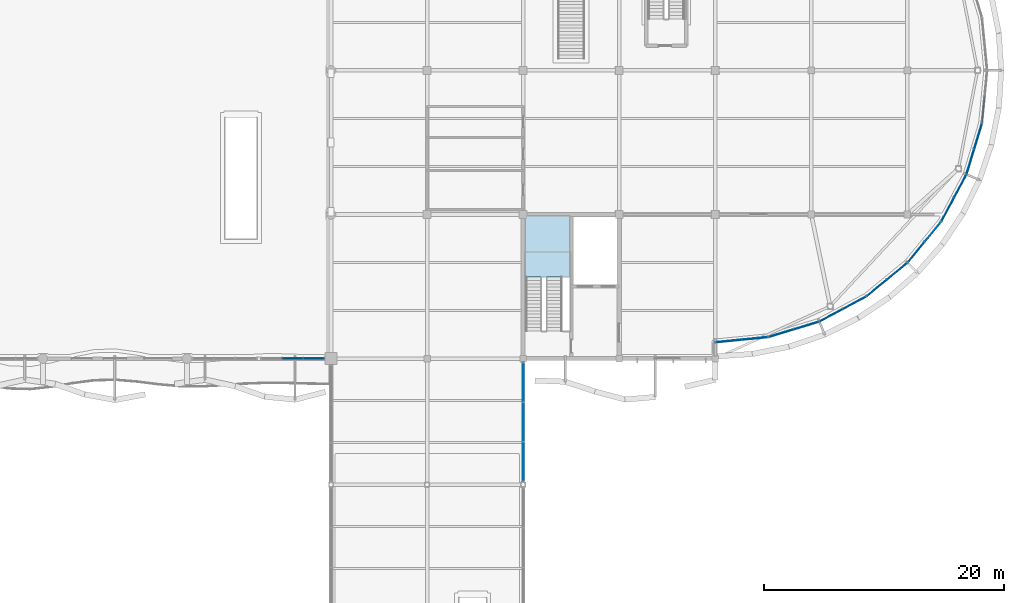
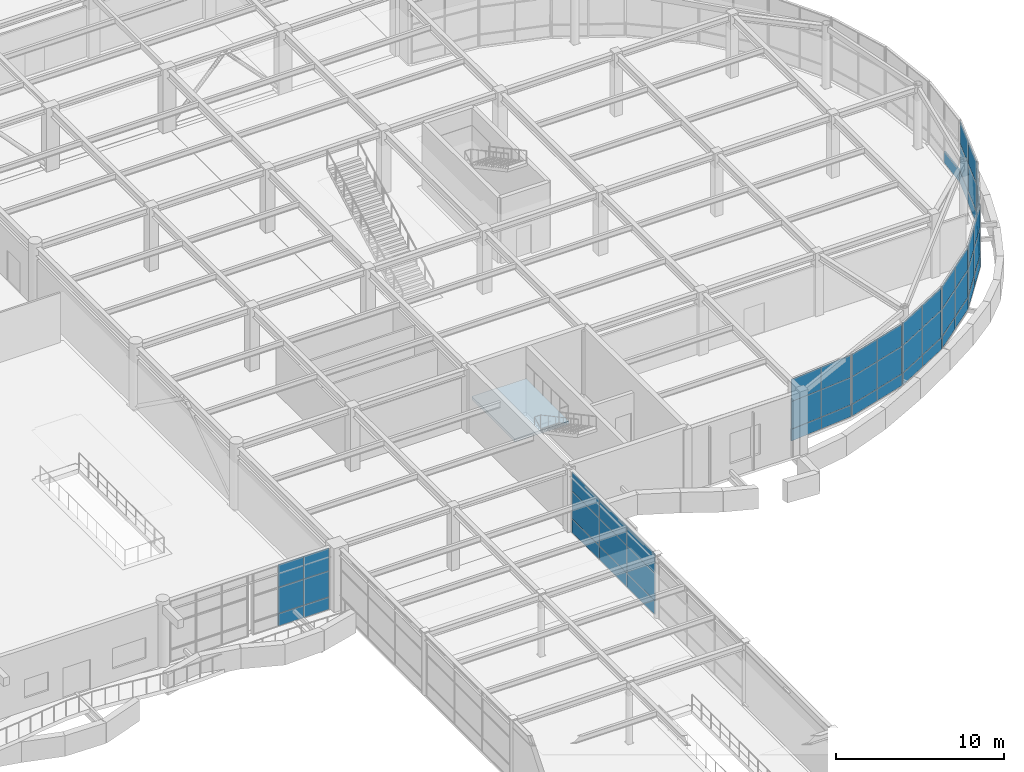
# One storey, part 41 of 72: 58 plates, 1 slab, 11 elements without a shape of their own.
"""IFC4 building model written with IfcOpenShell, lengths in metres."""

from ifc_helpers import new_model, si_unit, direction, frame, origin, origin_2d, place, context, subcontext, project, spatial, polyline, rectangle, outline, extrude, material, layer, layer_set, type_object, element, aggregate, save


model = new_model("IFC4")

# Units and contexts
model_context = context("Model", 3, precision=1e-05, world=origin(), true_north=direction((0.0, 1.0)))
body_context = subcontext(model_context, "Body", "Model", "MODEL_VIEW")
ifc_project = project(units=[si_unit("LENGTHUNIT", "METRE"), si_unit("AREAUNIT", "SQUARE_METRE"), si_unit("VOLUMEUNIT", "CUBIC_METRE"), si_unit("PLANEANGLEUNIT", "RADIAN"), si_unit("MASSUNIT", "GRAM", prefix="KILO")], contexts=[model_context])

# Site, building, storey
site_placement = place(None, origin())
site = spatial("IfcSite", under=ifc_project, at=site_placement, CompositionType="ELEMENT")
building_placement = place(site_placement, origin())
building = spatial("IfcBuilding", under=site, at=building_placement, Name="Keelwater Ferry Terminal", CompositionType="ELEMENT")
storey_placement = place(building_placement, frame((0.0, 0.0, 5.39990234375)))
storey = spatial("IfcBuildingStorey", under=building, at=storey_placement, Name="L01", CompositionType="ELEMENT", Elevation=5.39990234375)

# Curtain wall, plates
ifc_material_1 = material(Name="Thermally broken unitised aluminium and triple glass", Category="aluminium")
ifc_layer_1 = layer(ifc_material_1, 0.179931640625)
ifc_layer_set_1 = layer_set([ifc_layer_1], Name="Thermally broken unitised aluminium and triple glass")
curtain_wall_type_1 = type_object("IfcCurtainWallType", Name="CW-11 Unitised Curtain Wall 9872x4400", PredefinedType="USERDEFINED", material=ifc_layer_set_1)
curtain_wall_1_placement = place(storey_placement, origin())
curtain_wall_1 = element("IfcCurtainWall", 1, at=curtain_wall_1_placement, inside=storey, type_object=curtain_wall_type_1, Name="Unitised Curtain Wall CW-L01-070", ObjectType="UNITISED CURTAIN WALL", PredefinedType="USERDEFINED")
ifc_material_2 = material(Name="Insulated aluminium spandrel", Category="aluminium")
ifc_layer_2 = layer(ifc_material_2, 0.080078125)
ifc_layer_set_2 = layer_set([ifc_layer_2], Name="Insulated aluminium spandrel")
plate_type_1 = type_object("IfcPlateType", Name="CWP-S1 Insulated Spandrel Panel 80", PredefinedType="CURTAIN_PANEL", material=ifc_layer_set_2)
plate_1_placement = place(storey_placement, frame((148.0, 33.42333984375, 0.0), z_axis=(0.0, 0.0, 1.0), x_axis=(0.0, 1.0, 0.0)))
plate_1 = element("IfcPlate", 2, at=plate_1_placement, type_object=plate_type_1, Name="CW-L01-070 Panel 1.1", PredefinedType="CURTAIN_PANEL", context=body_context, shape_type="SweptSolid", body=[
    extrude(rectangle(XDim=3.290771484375, YDim=0.080078125, at=origin_2d()), origin(), (0.0, 0.0, 1.0), 1.0),
])
plate_2_placement = place(storey_placement, frame((148.0, 36.714111328125, 0.0), z_axis=(0.0, 0.0, 1.0), x_axis=(0.0, 1.0, 0.0)))
plate_2 = element("IfcPlate", 3, at=plate_2_placement, type_object=plate_type_1, Name="CW-L01-070 Panel 2.1", PredefinedType="CURTAIN_PANEL", context=body_context, shape_type="SweptSolid", body=[
    extrude(rectangle(XDim=3.290771484375, YDim=0.080078125, at=origin_2d()), origin(), (0.0, 0.0, 1.0), 1.0),
])
plate_3_placement = place(storey_placement, frame((148.0, 40.004638671875, 0.0), z_axis=(0.0, 0.0, 1.0), x_axis=(0.0, 1.0, 0.0)))
plate_3 = element("IfcPlate", 4, at=plate_3_placement, type_object=plate_type_1, Name="CW-L01-070 Panel 3.1", PredefinedType="CURTAIN_PANEL", context=body_context, shape_type="SweptSolid", body=[
    extrude(rectangle(XDim=3.290771484375, YDim=0.080078125, at=origin_2d()), origin(), (0.0, 0.0, 1.0), 1.0),
])

ifc_material_3 = material(Name="Thermally broken unitised aluminium and triple glass", Category="aluminium")
ifc_layer_3 = layer(ifc_material_3, 0.179931640625)
ifc_layer_set_3 = layer_set([ifc_layer_3], Name="Thermally broken unitised aluminium and triple glass")
curtain_wall_type_2 = type_object("IfcCurtainWallType", Name="CW-01 Unitised Curtain Wall 5230x4450", PredefinedType="USERDEFINED", material=ifc_layer_set_3)
curtain_wall_2_placement = place(storey_placement, origin())
curtain_wall_2 = element("IfcCurtainWall", 5, at=curtain_wall_2_placement, inside=storey, type_object=curtain_wall_type_2, Name="Unitised Curtain Wall CW-L01-010", ObjectType="UNITISED CURTAIN WALL", PredefinedType="USERDEFINED")
ifc_material_4 = material(Name="Insulated white cassette spandrel", Category="aluminium")
ifc_layer_4 = layer(ifc_material_4, 0.094970703125)
ifc_layer_set_4 = layer_set([ifc_layer_4], Name="Insulated white cassette spandrel")
plate_type_2 = type_object("IfcPlateType", Name="CWP-S2 Insulated Spandrel Panel 95", PredefinedType="CURTAIN_PANEL", material=ifc_layer_set_4)
plate_4_placement = place(storey_placement, frame((128.81005859375, 42.0, 0.000244140625), z_axis=(0.0, 0.0, 1.0), x_axis=(1.0, 0.0, 0.0)))
plate_4 = element("IfcPlate", 6, at=plate_4_placement, type_object=plate_type_2, Name="CW-L01-010 Panel 2.1", PredefinedType="CURTAIN_PANEL", context=body_context, shape_type="SweptSolid", body=[
    extrude(rectangle(XDim=1.743408203125, YDim=0.094970703125, at=origin_2d()), origin(), (0.0, 0.0, 1.0), 0.89990234375),
])
plate_5_placement = place(storey_placement, frame((130.55322265625, 42.0, 0.000244140625), z_axis=(0.0, 0.0, 1.0), x_axis=(1.0, 0.0, 0.0)))
plate_5 = element("IfcPlate", 7, at=plate_5_placement, type_object=plate_type_2, Name="CW-L01-010 Panel 3.1", PredefinedType="CURTAIN_PANEL", context=body_context, shape_type="SweptSolid", body=[
    extrude(rectangle(XDim=1.743408203125, YDim=0.094970703125, at=origin_2d()), origin(), (0.0, 0.0, 1.0), 0.89990234375),
])

ifc_material_5 = material(Name="Thermally broken unitised aluminium and triple glass", Category="aluminium")
ifc_layer_5 = layer(ifc_material_5, 0.179931640625)
ifc_layer_set_5 = layer_set([ifc_layer_5], Name="Thermally broken unitised aluminium and triple glass")
curtain_wall_type_3 = type_object("IfcCurtainWallType", Name="CW-19 Unitised Curtain Wall 4350x4480", PredefinedType="USERDEFINED", material=ifc_layer_set_5)
curtain_wall_3_placement = place(storey_placement, origin())
curtain_wall_3 = element("IfcCurtainWall", 8, at=curtain_wall_3_placement, inside=storey, type_object=curtain_wall_type_3, Name="Unitised Curtain Wall CW-L01-125", ObjectType="UNITISED CURTAIN WALL", PredefinedType="USERDEFINED")
plate_6_placement = place(storey_placement, frame((165.127197265625, 43.460693359375, 0.0), z_axis=(0.0, 0.0, 1.0), x_axis=(0.995170573079, 0.098160737969, 0.0)))
plate_6 = element("IfcPlate", 9, at=plate_6_placement, type_object=plate_type_2, Name="CW-L01-125 Panel 1.1", PredefinedType="CURTAIN_PANEL", context=body_context, shape_type="SweptSolid", body=[
    extrude(rectangle(XDim=2.175048828125, YDim=0.094970703125, at=origin_2d()), origin(), (0.0, 0.0, 1.0), 0.85009765625),
])
plate_7_placement = place(storey_placement, frame((167.291748046875, 43.67431640625, 0.0), z_axis=(0.0, 0.0, 1.0), x_axis=(0.995170573079, 0.098160737969, 0.0)))
plate_7 = element("IfcPlate", 10, at=plate_7_placement, type_object=plate_type_2, Name="CW-L01-125 Panel 2.1", PredefinedType="CURTAIN_PANEL", context=body_context, shape_type="SweptSolid", body=[
    extrude(rectangle(XDim=2.175048828125, YDim=0.094970703125, at=origin_2d()), origin(), (0.0, 0.0, 1.0), 0.85009765625),
])

curtain_wall_4_placement = place(storey_placement, origin())
curtain_wall_4 = element("IfcCurtainWall", 11, at=curtain_wall_4_placement, inside=storey, type_object=curtain_wall_type_3, Name="Unitised Curtain Wall CW-L01-126", ObjectType="UNITISED CURTAIN WALL", PredefinedType="USERDEFINED")
plate_8_placement = place(storey_placement, frame((169.502685546875, 44.11376953125, 0.0), z_axis=(0.0, 0.0, 1.0), x_axis=(0.956929623319, 0.290319989003, 0.0)))
plate_8 = element("IfcPlate", 12, at=plate_8_placement, type_object=plate_type_2, Name="CW-L01-126 Panel 1.1", PredefinedType="CURTAIN_PANEL", context=body_context, shape_type="SweptSolid", body=[
    extrude(rectangle(XDim=2.17529296875, YDim=0.094970703125, at=origin_2d()), origin(), (0.0, 0.0, 1.0), 0.85009765625),
])
plate_9_placement = place(storey_placement, frame((171.584228515625, 44.745361328125, 0.0), z_axis=(0.0, 0.0, 1.0), x_axis=(0.956929623319, 0.290319989003, 0.0)))
plate_9 = element("IfcPlate", 13, at=plate_9_placement, type_object=plate_type_2, Name="CW-L01-126 Panel 2.1", PredefinedType="CURTAIN_PANEL", context=body_context, shape_type="SweptSolid", body=[
    extrude(rectangle(XDim=2.17529296875, YDim=0.094970703125, at=origin_2d()), origin(), (0.0, 0.0, 1.0), 0.85009765625),
])

curtain_wall_5_placement = place(storey_placement, origin())
curtain_wall_5 = element("IfcCurtainWall", 14, at=curtain_wall_5_placement, inside=storey, type_object=curtain_wall_type_3, Name="Unitised Curtain Wall CW-L01-127", ObjectType="UNITISED CURTAIN WALL", PredefinedType="USERDEFINED")
plate_10_placement = place(storey_placement, frame((173.6669921875, 45.607666015625, 0.0), z_axis=(0.0, 0.0, 1.0), x_axis=(0.881862452632, 0.471506749303, 0.0)))
plate_10 = element("IfcPlate", 15, at=plate_10_placement, type_object=plate_type_2, Name="CW-L01-127 Panel 1.1", PredefinedType="CURTAIN_PANEL", context=body_context, shape_type="SweptSolid", body=[
    extrude(rectangle(XDim=2.175048828125, YDim=0.094970703125, at=origin_2d()), origin(), (0.0, 0.0, 1.0), 0.85009765625),
])
plate_11_placement = place(storey_placement, frame((175.5849609375, 46.63330078125, 0.0), z_axis=(0.0, 0.0, 1.0), x_axis=(0.881862452632, 0.471506749303, 0.0)))
plate_11 = element("IfcPlate", 16, at=plate_11_placement, type_object=plate_type_2, Name="CW-L01-127 Panel 2.1", PredefinedType="CURTAIN_PANEL", context=body_context, shape_type="SweptSolid", body=[
    extrude(rectangle(XDim=2.175048828125, YDim=0.094970703125, at=origin_2d()), origin(), (0.0, 0.0, 1.0), 0.85009765625),
])

curtain_wall_6_placement = place(storey_placement, origin())
curtain_wall_6 = element("IfcCurtainWall", 17, at=curtain_wall_6_placement, inside=storey, type_object=curtain_wall_type_3, Name="Unitised Curtain Wall CW-L01-128", ObjectType="UNITISED CURTAIN WALL", PredefinedType="USERDEFINED")
plate_12_placement = place(storey_placement, frame((177.45947265625, 47.8857421875, 0.0), z_axis=(0.0, 0.0, 1.0), x_axis=(0.773024220086, 0.634376508991, 0.0)))
plate_12 = element("IfcPlate", 18, at=plate_12_placement, type_object=plate_type_2, Name="CW-L01-128 Panel 1.1", PredefinedType="CURTAIN_PANEL", context=body_context, shape_type="SweptSolid", body=[
    extrude(rectangle(XDim=2.174560546875, YDim=0.094970703125, at=origin_2d()), origin(), (0.0, 0.0, 1.0), 0.85009765625),
])
plate_13_placement = place(storey_placement, frame((179.140380859375, 49.26513671875, 0.0), z_axis=(0.0, 0.0, 1.0), x_axis=(0.773024220086, 0.634376508991, 0.0)))
plate_13 = element("IfcPlate", 19, at=plate_13_placement, type_object=plate_type_2, Name="CW-L01-128 Panel 2.1", PredefinedType="CURTAIN_PANEL", context=body_context, shape_type="SweptSolid", body=[
    extrude(rectangle(XDim=2.174560546875, YDim=0.094970703125, at=origin_2d()), origin(), (0.0, 0.0, 1.0), 0.85009765625),
])

curtain_wall_7_placement = place(storey_placement, origin())
curtain_wall_7 = element("IfcCurtainWall", 20, at=curtain_wall_7_placement, inside=storey, type_object=curtain_wall_type_3, Name="Unitised Curtain Wall CW-L01-129", ObjectType="UNITISED CURTAIN WALL", PredefinedType="USERDEFINED")
plate_14_placement = place(storey_placement, frame((180.73486328125, 50.859619140625, 0.0), z_axis=(0.0, 0.0, 1.0), x_axis=(0.634376508991, 0.773024220086, 0.0)))
plate_14 = element("IfcPlate", 21, at=plate_14_placement, type_object=plate_type_2, Name="CW-L01-129 Panel 1.1", PredefinedType="CURTAIN_PANEL", context=body_context, shape_type="SweptSolid", body=[
    extrude(rectangle(XDim=2.174560546875, YDim=0.094970703125, at=origin_2d()), origin(), (0.0, 0.0, 1.0), 0.85009765625),
])
plate_15_placement = place(storey_placement, frame((182.1142578125, 52.54052734375, 0.0), z_axis=(0.0, 0.0, 1.0), x_axis=(0.634376508991, 0.773024220086, 0.0)))
plate_15 = element("IfcPlate", 22, at=plate_15_placement, type_object=plate_type_2, Name="CW-L01-129 Panel 2.1", PredefinedType="CURTAIN_PANEL", context=body_context, shape_type="SweptSolid", body=[
    extrude(rectangle(XDim=2.174560546875, YDim=0.094970703125, at=origin_2d()), origin(), (0.0, 0.0, 1.0), 0.85009765625),
])

curtain_wall_8_placement = place(storey_placement, origin())
curtain_wall_8 = element("IfcCurtainWall", 23, at=curtain_wall_8_placement, inside=storey, type_object=curtain_wall_type_3, Name="Unitised Curtain Wall CW-L01-130", ObjectType="UNITISED CURTAIN WALL", PredefinedType="USERDEFINED")
plate_16_placement = place(storey_placement, frame((183.36669921875, 54.4150390625, 0.0), z_axis=(0.0, 0.0, 1.0), x_axis=(0.471506749303, 0.881862452632, 0.0)))
plate_16 = element("IfcPlate", 24, at=plate_16_placement, type_object=plate_type_2, Name="CW-L01-130 Panel 1.1", PredefinedType="CURTAIN_PANEL", context=body_context, shape_type="SweptSolid", body=[
    extrude(rectangle(XDim=2.175048828125, YDim=0.094970703125, at=origin_2d()), origin(), (0.0, 0.0, 1.0), 0.85009765625),
])
plate_17_placement = place(storey_placement, frame((184.392333984375, 56.3330078125, 0.0), z_axis=(0.0, 0.0, 1.0), x_axis=(0.471506749303, 0.881862452632, 0.0)))
plate_17 = element("IfcPlate", 25, at=plate_17_placement, type_object=plate_type_2, Name="CW-L01-130 Panel 2.1", PredefinedType="CURTAIN_PANEL", context=body_context, shape_type="SweptSolid", body=[
    extrude(rectangle(XDim=2.175048828125, YDim=0.094970703125, at=origin_2d()), origin(), (0.0, 0.0, 1.0), 0.85009765625),
])

curtain_wall_9_placement = place(storey_placement, origin())
curtain_wall_9 = element("IfcCurtainWall", 26, at=curtain_wall_9_placement, inside=storey, type_object=curtain_wall_type_3, Name="Unitised Curtain Wall CW-L01-131", ObjectType="UNITISED CURTAIN WALL", PredefinedType="USERDEFINED")
plate_18_placement = place(storey_placement, frame((185.254638671875, 58.415771484375, 0.0), z_axis=(0.0, 0.0, 1.0), x_axis=(0.290319989003, 0.956929623319, 0.0)))
plate_18 = element("IfcPlate", 27, at=plate_18_placement, type_object=plate_type_2, Name="CW-L01-131 Panel 1.1", PredefinedType="CURTAIN_PANEL", context=body_context, shape_type="SweptSolid", body=[
    extrude(rectangle(XDim=2.17529296875, YDim=0.094970703125, at=origin_2d()), origin(), (0.0, 0.0, 1.0), 0.85009765625),
])
plate_19_placement = place(storey_placement, frame((185.88623046875, 60.497314453125, 0.0), z_axis=(0.0, 0.0, 1.0), x_axis=(0.290319989003, 0.956929623319, 0.0)))
plate_19 = element("IfcPlate", 28, at=plate_19_placement, type_object=plate_type_2, Name="CW-L01-131 Panel 2.1", PredefinedType="CURTAIN_PANEL", context=body_context, shape_type="SweptSolid", body=[
    extrude(rectangle(XDim=2.17529296875, YDim=0.094970703125, at=origin_2d()), origin(), (0.0, 0.0, 1.0), 0.85009765625),
])

# Curtain wall, plate
curtain_wall_10_placement = place(storey_placement, origin())
curtain_wall_10 = element("IfcCurtainWall", 29, at=curtain_wall_10_placement, inside=storey, type_object=curtain_wall_type_3, Name="Unitised Curtain Wall CW-L01-132", ObjectType="UNITISED CURTAIN WALL", PredefinedType="USERDEFINED")
plate_20_placement = place(storey_placement, frame((186.32568359375, 62.708251953125, 0.0), z_axis=(0.0, 0.0, 1.0), x_axis=(0.098160737969, 0.995170573079, 0.0)))
plate_20 = element("IfcPlate", 30, at=plate_20_placement, type_object=plate_type_2, Name="CW-L01-132 Panel 1.1", PredefinedType="CURTAIN_PANEL", context=body_context, shape_type="SweptSolid", body=[
    extrude(rectangle(XDim=2.175048828125, YDim=0.094970703125, at=origin_2d()), origin(), (0.0, 0.0, 1.0), 0.85009765625),
])
aggregate(curtain_wall_10, [plate_20])

# Plate
ifc_material_6 = material(Name="Triple low-E laminated glass", Category="glass")
ifc_layer_6 = layer(ifc_material_6, 0.035888671875)
ifc_layer_set_6 = layer_set([ifc_layer_6], Name="Triple low-E laminated glass")
plate_type_3 = type_object("IfcPlateType", Name="CWP-V1 Glazed Vision Panel 36", PredefinedType="CURTAIN_PANEL", material=ifc_layer_set_6)
plate_21_placement = place(storey_placement, frame((128.81005859375, 42.0, 0.900146484375), z_axis=(0.0, 0.0, 1.0), x_axis=(1.0, 0.0, 0.0)))
plate_21 = element("IfcPlate", 31, at=plate_21_placement, type_object=plate_type_3, Name="CW-L01-010 Panel 2.2", PredefinedType="CURTAIN_PANEL", context=body_context, shape_type="SweptSolid", body=[
    extrude(rectangle(XDim=1.743408203125, YDim=0.035888671875, at=origin_2d()), origin(), (0.0, 0.0, 1.0), 1.89990234375),
])

plate_22_placement = place(storey_placement, frame((128.81005859375, 42.0, 2.800048828125), z_axis=(0.0, 0.0, 1.0), x_axis=(1.0, 0.0, 0.0)))
plate_22 = element("IfcPlate", 32, at=plate_22_placement, type_object=plate_type_3, Name="CW-L01-010 Panel 2.3", PredefinedType="CURTAIN_PANEL", context=body_context, shape_type="SweptSolid", body=[
    extrude(rectangle(XDim=1.743408203125, YDim=0.035888671875, at=origin_2d()), origin(), (0.0, 0.0, 1.0), 1.64990234375),
])

plate_23_placement = place(storey_placement, frame((130.55322265625, 42.0, 0.900146484375), z_axis=(0.0, 0.0, 1.0), x_axis=(1.0, 0.0, 0.0)))
plate_23 = element("IfcPlate", 33, at=plate_23_placement, type_object=plate_type_3, Name="CW-L01-010 Panel 3.2", PredefinedType="CURTAIN_PANEL", context=body_context, shape_type="SweptSolid", body=[
    extrude(rectangle(XDim=1.743408203125, YDim=0.035888671875, at=origin_2d()), origin(), (0.0, 0.0, 1.0), 1.89990234375),
])

plate_24_placement = place(storey_placement, frame((130.55322265625, 42.0, 2.800048828125), z_axis=(0.0, 0.0, 1.0), x_axis=(1.0, 0.0, 0.0)))
plate_24 = element("IfcPlate", 34, at=plate_24_placement, type_object=plate_type_3, Name="CW-L01-010 Panel 3.3", PredefinedType="CURTAIN_PANEL", context=body_context, shape_type="SweptSolid", body=[
    extrude(rectangle(XDim=1.743408203125, YDim=0.035888671875, at=origin_2d()), origin(), (0.0, 0.0, 1.0), 1.64990234375),
])

aggregate(curtain_wall_2, [plate_4, plate_21, plate_22, plate_5, plate_23, plate_24])

ifc_material_7 = material(Name="Triple solar-control glass", Category="glass")
ifc_layer_7 = layer(ifc_material_7, 0.0419921875)
ifc_layer_set_7 = layer_set([ifc_layer_7], Name="Triple solar-control glass")
plate_type_4 = type_object("IfcPlateType", Name="CWP-V2 Glazed Vision Panel 42", PredefinedType="CURTAIN_PANEL", material=ifc_layer_set_7)
plate_25_placement = place(storey_placement, frame((165.127197265625, 43.460693359375, 0.85009765625), z_axis=(0.0, 0.0, 1.0), x_axis=(0.995170573079, 0.098160737969, 0.0)))
plate_25 = element("IfcPlate", 35, at=plate_25_placement, type_object=plate_type_4, Name="CW-L01-125 Panel 1.2", PredefinedType="CURTAIN_PANEL", context=body_context, shape_type="SweptSolid", body=[
    extrude(rectangle(XDim=2.175048828125, YDim=0.0419921875, at=origin_2d()), origin(), (0.0, 0.0, 1.0), 2.0),
])

plate_26_placement = place(storey_placement, frame((165.127197265625, 43.460693359375, 2.85009765625), z_axis=(0.0, 0.0, 1.0), x_axis=(0.995170573079, 0.098160737969, 0.0)))
plate_26 = element("IfcPlate", 36, at=plate_26_placement, type_object=plate_type_4, Name="CW-L01-125 Panel 1.3", PredefinedType="CURTAIN_PANEL", context=body_context, shape_type="SweptSolid", body=[
    extrude(rectangle(XDim=2.175048828125, YDim=0.0419921875, at=origin_2d()), origin(), (0.0, 0.0, 1.0), 1.6298828125),
])

plate_27_placement = place(storey_placement, frame((167.291748046875, 43.67431640625, 0.85009765625), z_axis=(0.0, 0.0, 1.0), x_axis=(0.995170573079, 0.098160737969, 0.0)))
plate_27 = element("IfcPlate", 37, at=plate_27_placement, type_object=plate_type_4, Name="CW-L01-125 Panel 2.2", PredefinedType="CURTAIN_PANEL", context=body_context, shape_type="SweptSolid", body=[
    extrude(rectangle(XDim=2.175048828125, YDim=0.0419921875, at=origin_2d()), origin(), (0.0, 0.0, 1.0), 2.0),
])

plate_28_placement = place(storey_placement, frame((167.291748046875, 43.67431640625, 2.85009765625), z_axis=(0.0, 0.0, 1.0), x_axis=(0.995170573079, 0.098160737969, 0.0)))
plate_28 = element("IfcPlate", 38, at=plate_28_placement, type_object=plate_type_4, Name="CW-L01-125 Panel 2.3", PredefinedType="CURTAIN_PANEL", context=body_context, shape_type="SweptSolid", body=[
    extrude(rectangle(XDim=2.175048828125, YDim=0.0419921875, at=origin_2d()), origin(), (0.0, 0.0, 1.0), 1.6298828125),
])

aggregate(curtain_wall_3, [plate_6, plate_25, plate_26, plate_7, plate_27, plate_28])

plate_29_placement = place(storey_placement, frame((169.502685546875, 44.11376953125, 0.85009765625), z_axis=(0.0, 0.0, 1.0), x_axis=(0.956929623319, 0.290319989003, 0.0)))
plate_29 = element("IfcPlate", 39, at=plate_29_placement, type_object=plate_type_4, Name="CW-L01-126 Panel 1.2", PredefinedType="CURTAIN_PANEL", context=body_context, shape_type="SweptSolid", body=[
    extrude(rectangle(XDim=2.17529296875, YDim=0.0419921875, at=origin_2d()), origin(), (0.0, 0.0, 1.0), 2.0),
])

plate_30_placement = place(storey_placement, frame((169.502685546875, 44.11376953125, 2.85009765625), z_axis=(0.0, 0.0, 1.0), x_axis=(0.956929623319, 0.290319989003, 0.0)))
plate_30 = element("IfcPlate", 40, at=plate_30_placement, type_object=plate_type_4, Name="CW-L01-126 Panel 1.3", PredefinedType="CURTAIN_PANEL", context=body_context, shape_type="SweptSolid", body=[
    extrude(rectangle(XDim=2.17529296875, YDim=0.0419921875, at=origin_2d()), origin(), (0.0, 0.0, 1.0), 1.6298828125),
])

plate_31_placement = place(storey_placement, frame((171.584228515625, 44.745361328125, 0.85009765625), z_axis=(0.0, 0.0, 1.0), x_axis=(0.956929623319, 0.290319989003, 0.0)))
plate_31 = element("IfcPlate", 41, at=plate_31_placement, type_object=plate_type_4, Name="CW-L01-126 Panel 2.2", PredefinedType="CURTAIN_PANEL", context=body_context, shape_type="SweptSolid", body=[
    extrude(rectangle(XDim=2.17529296875, YDim=0.0419921875, at=origin_2d()), origin(), (0.0, 0.0, 1.0), 2.0),
])

plate_32_placement = place(storey_placement, frame((171.584228515625, 44.745361328125, 2.85009765625), z_axis=(0.0, 0.0, 1.0), x_axis=(0.956929623319, 0.290319989003, 0.0)))
plate_32 = element("IfcPlate", 42, at=plate_32_placement, type_object=plate_type_4, Name="CW-L01-126 Panel 2.3", PredefinedType="CURTAIN_PANEL", context=body_context, shape_type="SweptSolid", body=[
    extrude(rectangle(XDim=2.17529296875, YDim=0.0419921875, at=origin_2d()), origin(), (0.0, 0.0, 1.0), 1.6298828125),
])

aggregate(curtain_wall_4, [plate_8, plate_29, plate_30, plate_9, plate_31, plate_32])

plate_33_placement = place(storey_placement, frame((173.6669921875, 45.607666015625, 0.85009765625), z_axis=(0.0, 0.0, 1.0), x_axis=(0.881862452632, 0.471506749303, 0.0)))
plate_33 = element("IfcPlate", 43, at=plate_33_placement, type_object=plate_type_4, Name="CW-L01-127 Panel 1.2", PredefinedType="CURTAIN_PANEL", context=body_context, shape_type="SweptSolid", body=[
    extrude(rectangle(XDim=2.175048828125, YDim=0.0419921875, at=origin_2d()), origin(), (0.0, 0.0, 1.0), 2.0),
])

plate_34_placement = place(storey_placement, frame((173.6669921875, 45.607666015625, 2.85009765625), z_axis=(0.0, 0.0, 1.0), x_axis=(0.881862452632, 0.471506749303, 0.0)))
plate_34 = element("IfcPlate", 44, at=plate_34_placement, type_object=plate_type_4, Name="CW-L01-127 Panel 1.3", PredefinedType="CURTAIN_PANEL", context=body_context, shape_type="SweptSolid", body=[
    extrude(rectangle(XDim=2.175048828125, YDim=0.0419921875, at=origin_2d()), origin(), (0.0, 0.0, 1.0), 1.6298828125),
])

plate_35_placement = place(storey_placement, frame((175.5849609375, 46.63330078125, 0.85009765625), z_axis=(0.0, 0.0, 1.0), x_axis=(0.881862452632, 0.471506749303, 0.0)))
plate_35 = element("IfcPlate", 45, at=plate_35_placement, type_object=plate_type_4, Name="CW-L01-127 Panel 2.2", PredefinedType="CURTAIN_PANEL", context=body_context, shape_type="SweptSolid", body=[
    extrude(rectangle(XDim=2.175048828125, YDim=0.0419921875, at=origin_2d()), origin(), (0.0, 0.0, 1.0), 2.0),
])

plate_36_placement = place(storey_placement, frame((175.5849609375, 46.63330078125, 2.85009765625), z_axis=(0.0, 0.0, 1.0), x_axis=(0.881862452632, 0.471506749303, 0.0)))
plate_36 = element("IfcPlate", 46, at=plate_36_placement, type_object=plate_type_4, Name="CW-L01-127 Panel 2.3", PredefinedType="CURTAIN_PANEL", context=body_context, shape_type="SweptSolid", body=[
    extrude(rectangle(XDim=2.175048828125, YDim=0.0419921875, at=origin_2d()), origin(), (0.0, 0.0, 1.0), 1.6298828125),
])

aggregate(curtain_wall_5, [plate_10, plate_33, plate_34, plate_11, plate_35, plate_36])

plate_37_placement = place(storey_placement, frame((177.45947265625, 47.8857421875, 0.85009765625), z_axis=(0.0, 0.0, 1.0), x_axis=(0.773024220086, 0.634376508991, 0.0)))
plate_37 = element("IfcPlate", 47, at=plate_37_placement, type_object=plate_type_4, Name="CW-L01-128 Panel 1.2", PredefinedType="CURTAIN_PANEL", context=body_context, shape_type="SweptSolid", body=[
    extrude(rectangle(XDim=2.174560546875, YDim=0.0419921875, at=origin_2d()), origin(), (0.0, 0.0, 1.0), 2.0),
])

plate_38_placement = place(storey_placement, frame((177.45947265625, 47.8857421875, 2.85009765625), z_axis=(0.0, 0.0, 1.0), x_axis=(0.773024220086, 0.634376508991, 0.0)))
plate_38 = element("IfcPlate", 48, at=plate_38_placement, type_object=plate_type_4, Name="CW-L01-128 Panel 1.3", PredefinedType="CURTAIN_PANEL", context=body_context, shape_type="SweptSolid", body=[
    extrude(rectangle(XDim=2.174560546875, YDim=0.0419921875, at=origin_2d()), origin(), (0.0, 0.0, 1.0), 1.6298828125),
])

plate_39_placement = place(storey_placement, frame((179.140380859375, 49.26513671875, 0.85009765625), z_axis=(0.0, 0.0, 1.0), x_axis=(0.773024220086, 0.634376508991, 0.0)))
plate_39 = element("IfcPlate", 49, at=plate_39_placement, type_object=plate_type_4, Name="CW-L01-128 Panel 2.2", PredefinedType="CURTAIN_PANEL", context=body_context, shape_type="SweptSolid", body=[
    extrude(rectangle(XDim=2.174560546875, YDim=0.0419921875, at=origin_2d()), origin(), (0.0, 0.0, 1.0), 2.0),
])

plate_40_placement = place(storey_placement, frame((179.140380859375, 49.26513671875, 2.85009765625), z_axis=(0.0, 0.0, 1.0), x_axis=(0.773024220086, 0.634376508991, 0.0)))
plate_40 = element("IfcPlate", 50, at=plate_40_placement, type_object=plate_type_4, Name="CW-L01-128 Panel 2.3", PredefinedType="CURTAIN_PANEL", context=body_context, shape_type="SweptSolid", body=[
    extrude(rectangle(XDim=2.174560546875, YDim=0.0419921875, at=origin_2d()), origin(), (0.0, 0.0, 1.0), 1.6298828125),
])

aggregate(curtain_wall_6, [plate_12, plate_37, plate_38, plate_13, plate_39, plate_40])

plate_41_placement = place(storey_placement, frame((180.73486328125, 50.859619140625, 0.85009765625), z_axis=(0.0, 0.0, 1.0), x_axis=(0.634376508991, 0.773024220086, 0.0)))
plate_41 = element("IfcPlate", 51, at=plate_41_placement, type_object=plate_type_4, Name="CW-L01-129 Panel 1.2", PredefinedType="CURTAIN_PANEL", context=body_context, shape_type="SweptSolid", body=[
    extrude(rectangle(XDim=2.174560546875, YDim=0.0419921875, at=origin_2d()), origin(), (0.0, 0.0, 1.0), 2.0),
])

plate_42_placement = place(storey_placement, frame((180.73486328125, 50.859619140625, 2.85009765625), z_axis=(0.0, 0.0, 1.0), x_axis=(0.634376508991, 0.773024220086, 0.0)))
plate_42 = element("IfcPlate", 52, at=plate_42_placement, type_object=plate_type_4, Name="CW-L01-129 Panel 1.3", PredefinedType="CURTAIN_PANEL", context=body_context, shape_type="SweptSolid", body=[
    extrude(rectangle(XDim=2.174560546875, YDim=0.0419921875, at=origin_2d()), origin(), (0.0, 0.0, 1.0), 1.6298828125),
])

plate_43_placement = place(storey_placement, frame((182.1142578125, 52.54052734375, 0.85009765625), z_axis=(0.0, 0.0, 1.0), x_axis=(0.634376508991, 0.773024220086, 0.0)))
plate_43 = element("IfcPlate", 53, at=plate_43_placement, type_object=plate_type_4, Name="CW-L01-129 Panel 2.2", PredefinedType="CURTAIN_PANEL", context=body_context, shape_type="SweptSolid", body=[
    extrude(rectangle(XDim=2.174560546875, YDim=0.0419921875, at=origin_2d()), origin(), (0.0, 0.0, 1.0), 2.0),
])

plate_44_placement = place(storey_placement, frame((182.1142578125, 52.54052734375, 2.85009765625), z_axis=(0.0, 0.0, 1.0), x_axis=(0.634376508991, 0.773024220086, 0.0)))
plate_44 = element("IfcPlate", 54, at=plate_44_placement, type_object=plate_type_4, Name="CW-L01-129 Panel 2.3", PredefinedType="CURTAIN_PANEL", context=body_context, shape_type="SweptSolid", body=[
    extrude(rectangle(XDim=2.174560546875, YDim=0.0419921875, at=origin_2d()), origin(), (0.0, 0.0, 1.0), 1.6298828125),
])

aggregate(curtain_wall_7, [plate_14, plate_41, plate_42, plate_15, plate_43, plate_44])

plate_45_placement = place(storey_placement, frame((183.36669921875, 54.4150390625, 0.85009765625), z_axis=(0.0, 0.0, 1.0), x_axis=(0.471506749303, 0.881862452632, 0.0)))
plate_45 = element("IfcPlate", 55, at=plate_45_placement, type_object=plate_type_4, Name="CW-L01-130 Panel 1.2", PredefinedType="CURTAIN_PANEL", context=body_context, shape_type="SweptSolid", body=[
    extrude(rectangle(XDim=2.175048828125, YDim=0.0419921875, at=origin_2d()), origin(), (0.0, 0.0, 1.0), 2.0),
])

plate_46_placement = place(storey_placement, frame((183.36669921875, 54.4150390625, 2.85009765625), z_axis=(0.0, 0.0, 1.0), x_axis=(0.471506749303, 0.881862452632, 0.0)))
plate_46 = element("IfcPlate", 56, at=plate_46_placement, type_object=plate_type_4, Name="CW-L01-130 Panel 1.3", PredefinedType="CURTAIN_PANEL", context=body_context, shape_type="SweptSolid", body=[
    extrude(rectangle(XDim=2.175048828125, YDim=0.0419921875, at=origin_2d()), origin(), (0.0, 0.0, 1.0), 1.6298828125),
])

plate_47_placement = place(storey_placement, frame((184.392333984375, 56.3330078125, 0.85009765625), z_axis=(0.0, 0.0, 1.0), x_axis=(0.471506749303, 0.881862452632, 0.0)))
plate_47 = element("IfcPlate", 57, at=plate_47_placement, type_object=plate_type_4, Name="CW-L01-130 Panel 2.2", PredefinedType="CURTAIN_PANEL", context=body_context, shape_type="SweptSolid", body=[
    extrude(rectangle(XDim=2.175048828125, YDim=0.0419921875, at=origin_2d()), origin(), (0.0, 0.0, 1.0), 2.0),
])

plate_48_placement = place(storey_placement, frame((184.392333984375, 56.3330078125, 2.85009765625), z_axis=(0.0, 0.0, 1.0), x_axis=(0.471506749303, 0.881862452632, 0.0)))
plate_48 = element("IfcPlate", 58, at=plate_48_placement, type_object=plate_type_4, Name="CW-L01-130 Panel 2.3", PredefinedType="CURTAIN_PANEL", context=body_context, shape_type="SweptSolid", body=[
    extrude(rectangle(XDim=2.175048828125, YDim=0.0419921875, at=origin_2d()), origin(), (0.0, 0.0, 1.0), 1.6298828125),
])

aggregate(curtain_wall_8, [plate_16, plate_45, plate_46, plate_17, plate_47, plate_48])

plate_49_placement = place(storey_placement, frame((185.254638671875, 58.415771484375, 0.85009765625), z_axis=(0.0, 0.0, 1.0), x_axis=(0.290319989003, 0.956929623319, 0.0)))
plate_49 = element("IfcPlate", 59, at=plate_49_placement, type_object=plate_type_4, Name="CW-L01-131 Panel 1.2", PredefinedType="CURTAIN_PANEL", context=body_context, shape_type="SweptSolid", body=[
    extrude(rectangle(XDim=2.17529296875, YDim=0.0419921875, at=origin_2d()), origin(), (0.0, 0.0, 1.0), 2.0),
])

plate_50_placement = place(storey_placement, frame((185.254638671875, 58.415771484375, 2.85009765625), z_axis=(0.0, 0.0, 1.0), x_axis=(0.290319989003, 0.956929623319, 0.0)))
plate_50 = element("IfcPlate", 60, at=plate_50_placement, type_object=plate_type_4, Name="CW-L01-131 Panel 1.3", PredefinedType="CURTAIN_PANEL", context=body_context, shape_type="SweptSolid", body=[
    extrude(rectangle(XDim=2.17529296875, YDim=0.0419921875, at=origin_2d()), origin(), (0.0, 0.0, 1.0), 1.6298828125),
])

plate_51_placement = place(storey_placement, frame((185.88623046875, 60.497314453125, 0.85009765625), z_axis=(0.0, 0.0, 1.0), x_axis=(0.290319989003, 0.956929623319, 0.0)))
plate_51 = element("IfcPlate", 61, at=plate_51_placement, type_object=plate_type_4, Name="CW-L01-131 Panel 2.2", PredefinedType="CURTAIN_PANEL", context=body_context, shape_type="SweptSolid", body=[
    extrude(rectangle(XDim=2.17529296875, YDim=0.0419921875, at=origin_2d()), origin(), (0.0, 0.0, 1.0), 2.0),
])

plate_52_placement = place(storey_placement, frame((185.88623046875, 60.497314453125, 2.85009765625), z_axis=(0.0, 0.0, 1.0), x_axis=(0.290319989003, 0.956929623319, 0.0)))
plate_52 = element("IfcPlate", 62, at=plate_52_placement, type_object=plate_type_4, Name="CW-L01-131 Panel 2.3", PredefinedType="CURTAIN_PANEL", context=body_context, shape_type="SweptSolid", body=[
    extrude(rectangle(XDim=2.17529296875, YDim=0.0419921875, at=origin_2d()), origin(), (0.0, 0.0, 1.0), 1.6298828125),
])

aggregate(curtain_wall_9, [plate_18, plate_49, plate_50, plate_19, plate_51, plate_52])

ifc_material_8 = material(Name="Acoustic marine triple glass", Category="glass")
ifc_layer_8 = layer(ifc_material_8, 0.048095703125)
ifc_layer_set_8 = layer_set([ifc_layer_8], Name="Acoustic marine triple glass")
plate_type_5 = type_object("IfcPlateType", Name="CWP-V3 Glazed Vision Panel 48", PredefinedType="CURTAIN_PANEL", material=ifc_layer_set_8)
plate_53_placement = place(storey_placement, frame((148.0, 33.42333984375, 1.0), z_axis=(0.0, 0.0, 1.0), x_axis=(0.0, 1.0, 0.0)))
plate_53 = element("IfcPlate", 63, at=plate_53_placement, type_object=plate_type_5, Name="CW-L01-070 Panel 1.2", PredefinedType="CURTAIN_PANEL", context=body_context, shape_type="SweptSolid", body=[
    extrude(rectangle(XDim=3.290771484375, YDim=0.048095703125, at=origin_2d()), origin(), (0.0, 0.0, 1.0), 2.0),
])

plate_54_placement = place(storey_placement, frame((148.0, 33.42333984375, 3.000244140625), z_axis=(0.0, 0.0, 1.0), x_axis=(0.0, 1.0, 0.0)))
plate_54 = element("IfcPlate", 64, at=plate_54_placement, type_object=plate_type_5, Name="CW-L01-070 Panel 1.3", PredefinedType="CURTAIN_PANEL", context=body_context, shape_type="SweptSolid", body=[
    extrude(rectangle(XDim=3.290771484375, YDim=0.048095703125, at=origin_2d()), origin(), (0.0, 0.0, 1.0), 1.39990234375),
])

plate_55_placement = place(storey_placement, frame((148.0, 36.714111328125, 1.0), z_axis=(0.0, 0.0, 1.0), x_axis=(0.0, 1.0, 0.0)))
plate_55 = element("IfcPlate", 65, at=plate_55_placement, type_object=plate_type_5, Name="CW-L01-070 Panel 2.2", PredefinedType="CURTAIN_PANEL", context=body_context, shape_type="SweptSolid", body=[
    extrude(rectangle(XDim=3.290771484375, YDim=0.048095703125, at=origin_2d()), origin(), (0.0, 0.0, 1.0), 2.0),
])

plate_56_placement = place(storey_placement, frame((148.0, 36.714111328125, 3.000244140625), z_axis=(0.0, 0.0, 1.0), x_axis=(0.0, 1.0, 0.0)))
plate_56 = element("IfcPlate", 66, at=plate_56_placement, type_object=plate_type_5, Name="CW-L01-070 Panel 2.3", PredefinedType="CURTAIN_PANEL", context=body_context, shape_type="SweptSolid", body=[
    extrude(rectangle(XDim=3.290771484375, YDim=0.048095703125, at=origin_2d()), origin(), (0.0, 0.0, 1.0), 1.39990234375),
])

plate_57_placement = place(storey_placement, frame((148.0, 40.004638671875, 1.0), z_axis=(0.0, 0.0, 1.0), x_axis=(0.0, 1.0, 0.0)))
plate_57 = element("IfcPlate", 67, at=plate_57_placement, type_object=plate_type_5, Name="CW-L01-070 Panel 3.2", PredefinedType="CURTAIN_PANEL", context=body_context, shape_type="SweptSolid", body=[
    extrude(rectangle(XDim=3.290771484375, YDim=0.048095703125, at=origin_2d()), origin(), (0.0, 0.0, 1.0), 2.0),
])

plate_58_placement = place(storey_placement, frame((148.0, 40.004638671875, 3.000244140625), z_axis=(0.0, 0.0, 1.0), x_axis=(0.0, 1.0, 0.0)))
plate_58 = element("IfcPlate", 68, at=plate_58_placement, type_object=plate_type_5, Name="CW-L01-070 Panel 3.3", PredefinedType="CURTAIN_PANEL", context=body_context, shape_type="SweptSolid", body=[
    extrude(rectangle(XDim=3.290771484375, YDim=0.048095703125, at=origin_2d()), origin(), (0.0, 0.0, 1.0), 1.39990234375),
])

aggregate(curtain_wall_1, [plate_1, plate_53, plate_54, plate_2, plate_55, plate_56, plate_3, plate_57, plate_58])

# Stair, slab
ifc_material_9 = material(Name="Concrete C40/50", Category="concrete")
stair_type = type_object("IfcStairType", Name="ST-T02 Half-Turn Stair 1350W 32R", PredefinedType="HALF_TURN_STAIR", material=ifc_material_9)
stair_placement = place(storey_placement, origin())
stair = element("IfcStair", 69, at=stair_placement, inside=storey, type_object=stair_type, Name="Half-Turn Stair ST-C4-L01", PredefinedType="HALF_TURN_STAIR")
ifc_material_10 = material(Name="Concrete C40/50", Category="concrete")
ifc_layer_9 = layer(ifc_material_10, 0.219970703125)
ifc_layer_set_9 = layer_set([ifc_layer_9], Name="Concrete C40/50")
slab_type = type_object("IfcSlabType", Name="SL-LD220 Stair Landing Slab 220", PredefinedType="LANDING", material=ifc_layer_set_9)
slab_placement = place(storey_placement, frame((0.0, 0.0, 2.18017578125)))
slab = element("IfcSlab", 70, at=slab_placement, type_object=slab_type, Name="ST-C4-L01 landing 1", PredefinedType="LANDING", context=body_context, shape_type="SweptSolid", body=[
    extrude(outline(polyline([(148.14990234375, 48.780029296875), (151.8798828125, 48.780029296875), (151.8798828125, 53.89990234375), (148.14990234375, 53.89990234375), (148.14990234375, 48.780029296875)])), origin(), (0.0, 0.0, 1.0), 0.219970703125),
])
aggregate(stair, [slab])

save(model, "model.ifc")
